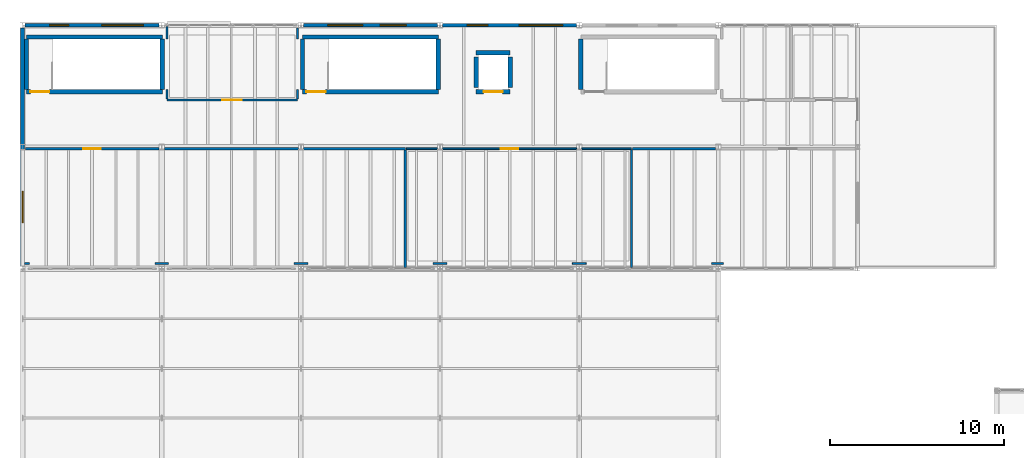
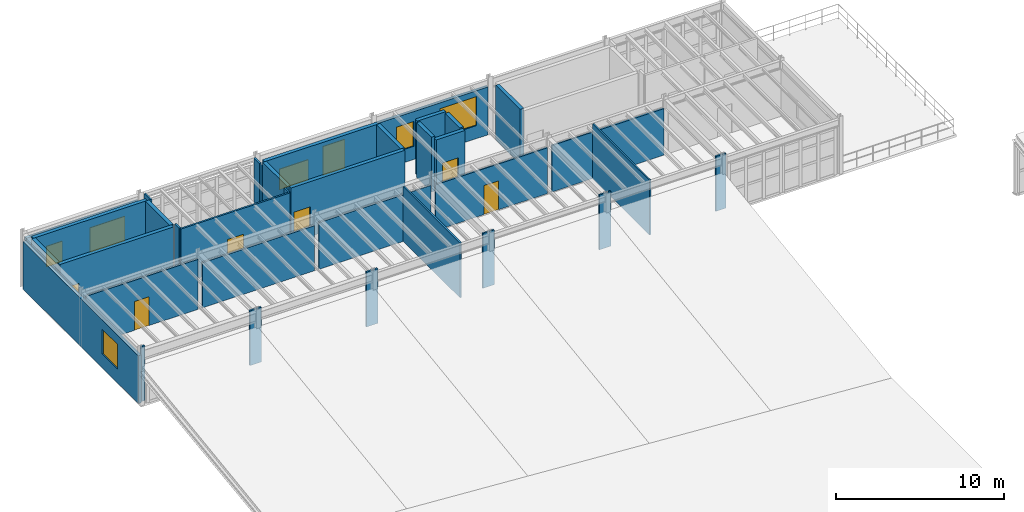
# One storey, part 70 of 77: 37 walls, 7 windows, 6 doors, 13 openings.
"""IFC4 building model written with IfcOpenShell, lengths in metres."""

from ifc_helpers import new_model, si_unit, direction, frame, frame_2d, origin, place, context, subcontext, project, spatial, rectangle, extrude, material, layer, layer_set, type_object, element, fill, save


model = new_model("IFC4")

# Units and contexts
model_context = context("Model", 3, precision=1e-05, world=origin(), true_north=direction((0.0, 1.0)))
body_context = subcontext(model_context, "Body", "Model", "MODEL_VIEW")
ifc_project = project(units=[si_unit("LENGTHUNIT", "METRE"), si_unit("AREAUNIT", "SQUARE_METRE"), si_unit("VOLUMEUNIT", "CUBIC_METRE"), si_unit("PLANEANGLEUNIT", "RADIAN"), si_unit("MASSUNIT", "GRAM", prefix="KILO"), si_unit("THERMODYNAMICTEMPERATUREUNIT", "KELVIN"), si_unit("POWERUNIT", "WATT")], contexts=[model_context])

# Site, building, storey
site_placement = place(None, origin())
site = spatial("IfcSite", under=ifc_project, at=site_placement, CompositionType="ELEMENT")
building_placement = place(site_placement, origin())
building = spatial("IfcBuilding", under=site, at=building_placement, Name="Zhenchuan Central Fire Station", CompositionType="ELEMENT")
storey_placement = place(building_placement, frame((0.0, 0.0, 10.050048828125)))
storey = spatial("IfcBuildingStorey", under=building, at=storey_placement, Name="L03", CompositionType="ELEMENT", Elevation=10.050048828125)

# Wall, opening, window
ifc_material_1 = material(Name="Precast concrete C40/50", Category="concrete")
ifc_layer_1 = layer(ifc_material_1, 0.219970703125, Name="Precast concrete C40/50", Category="concrete")
ifc_layer_set_1 = layer_set([ifc_layer_1], Name="Precast concrete C40/50")
wall_type_1 = type_object("IfcWallType", Name="EW-PRC220", PredefinedType="SOLIDWALL", material=ifc_layer_set_1)
wall_1_placement = place(storey_placement, frame((0.0, 42.64990234375, 0.0), z_axis=(0.0, 0.0, 1.0), x_axis=(0.0, 1.0, 0.0)))
wall_1 = element("IfcWall", 1, at=wall_1_placement, inside=storey, type_object=wall_type_1, Name="EW-L03-V3W", PredefinedType="SOLIDWALL", context=body_context, shape_type="SweptSolid", body=[
    extrude(rectangle(XDim=13.7001953125, YDim=0.219970703125, at=frame_2d((6.85009765625, 0.0))), origin(), (0.0, 0.0, 1.0), 3.473876953125),
])
opening_1_placement = place(wall_1_placement, frame((2.5, 0.0, 1.0)))
opening_1 = element("IfcOpeningElement", 2, at=opening_1_placement, cuts=wall_1, Name="Opening W-25", PredefinedType="OPENING", context=body_context, shape_type="SweptSolid", body=[
    extrude(rectangle(XDim=1.800048828125, YDim=1.800048828125, at=frame_2d((0.89990234375, 0.89990234375))), frame((0.0, 0.119873046875, 0.0), z_axis=(0.0, -1.0, 0.0), x_axis=(1.0, 0.0, 0.0)), (0.0, 0.0, 1.0), 0.239990234375),
])
ifc_material_2 = material(Name="Laminated low-E double glazing in aluminium frame", Category="aluminium")
window_type_1 = type_object("IfcWindowType", Name="WN-25", PartitioningType="SINGLE_PANEL", PredefinedType="WINDOW", material=ifc_material_2)
window_1_placement = place(opening_1_placement, origin())
window_1 = element("IfcWindow", 3, at=window_1_placement, inside=storey, type_object=window_type_1, Name="Exterior Window 0074", OverallHeight=1.800048828125, OverallWidth=1.800048828125, PartitioningType="SINGLE_PANEL", PredefinedType="WINDOW", context=body_context, shape_type="SweptSolid", body=[
    extrude(rectangle(XDim=1.800048828125, YDim=1.800048828125, at=frame_2d((0.89990234375, 0.89990234375))), frame((0.0, 0.030029296875, 0.0), z_axis=(0.0, -1.0, 0.0), x_axis=(1.0, 0.0, 0.0)), (0.0, 0.0, 1.0), 0.06005859375),
])
fill(opening_1, window_1)

# Wall, openings, windows
wall_2_placement = place(storey_placement, frame((0.14990234375, 56.5, 0.0), z_axis=(0.0, 0.0, 1.0), x_axis=(1.0, 0.0, 0.0)))
wall_2 = element("IfcWall", 4, at=wall_2_placement, inside=storey, type_object=wall_type_1, Name="EW-L03-V3N-0", PredefinedType="SOLIDWALL", context=body_context, shape_type="SweptSolid", body=[
    extrude(rectangle(XDim=7.7001953125, YDim=0.219970703125, at=frame_2d((3.85009765625, 0.0))), origin(), (0.0, 0.0, 1.0), 3.583984375),
])
opening_2_placement = place(wall_2_placement, frame((1.39990234375, 0.0, 0.949951171875)))
opening_2 = element("IfcOpeningElement", 5, at=opening_2_placement, cuts=wall_2, Name="Opening W-13", PredefinedType="OPENING", context=body_context, shape_type="SweptSolid", body=[
    extrude(rectangle(XDim=1.10009765625, YDim=1.5, at=frame_2d((0.550048828125, 0.75))), frame((0.0, 0.119873046875, 0.0), z_axis=(0.0, -1.0, 0.0), x_axis=(1.0, 0.0, 0.0)), (0.0, 0.0, 1.0), 0.239990234375),
])
opening_3_placement = place(wall_2_placement, frame((4.39990234375, 0.0, 0.949951171875)))
opening_3 = element("IfcOpeningElement", 6, at=opening_3_placement, cuts=wall_2, Name="Opening W-28", PredefinedType="OPENING", context=body_context, shape_type="SweptSolid", body=[
    extrude(rectangle(XDim=2.39990234375, YDim=1.800048828125, at=frame_2d((1.199951171875, 0.89990234375))), frame((0.0, 0.119873046875, 0.0), z_axis=(0.0, -1.0, 0.0), x_axis=(1.0, 0.0, 0.0)), (0.0, 0.0, 1.0), 0.239990234375),
])
window_type_2 = type_object("IfcWindowType", Name="WN-13", PartitioningType="SINGLE_PANEL", PredefinedType="WINDOW", material=ifc_material_2)
window_2_placement = place(opening_2_placement, origin())
window_2 = element("IfcWindow", 7, at=window_2_placement, inside=storey, type_object=window_type_2, Name="Exterior Window 0076", OverallHeight=1.5, OverallWidth=1.10009765625, PartitioningType="SINGLE_PANEL", PredefinedType="WINDOW", context=body_context, shape_type="SweptSolid", body=[
    extrude(rectangle(XDim=1.10009765625, YDim=1.5, at=frame_2d((0.550048828125, 0.75))), frame((0.0, 0.030029296875, 0.0), z_axis=(0.0, -1.0, 0.0), x_axis=(1.0, 0.0, 0.0)), (0.0, 0.0, 1.0), 0.06005859375),
])
fill(opening_2, window_2)
window_type_3 = type_object("IfcWindowType", Name="WN-28", PartitioningType="SINGLE_PANEL", PredefinedType="WINDOW", material=ifc_material_2)
window_3_placement = place(opening_3_placement, origin())
window_3 = element("IfcWindow", 8, at=window_3_placement, inside=storey, type_object=window_type_3, Name="Exterior Window 0077", OverallHeight=1.800048828125, OverallWidth=2.39990234375, PartitioningType="SINGLE_PANEL", PredefinedType="WINDOW", context=body_context, shape_type="SweptSolid", body=[
    extrude(rectangle(XDim=2.39990234375, YDim=1.800048828125, at=frame_2d((1.199951171875, 0.89990234375))), frame((0.0, 0.030029296875, 0.0), z_axis=(0.0, -1.0, 0.0), x_axis=(1.0, 0.0, 0.0)), (0.0, 0.0, 1.0), 0.06005859375),
])
fill(opening_3, window_3)

wall_3_placement = place(storey_placement, frame((16.14990234375, 56.5, 0.0), z_axis=(0.0, 0.0, 1.0), x_axis=(1.0, 0.0, 0.0)))
wall_3 = element("IfcWall", 9, at=wall_3_placement, inside=storey, type_object=wall_type_1, Name="EW-L03-V3N-2", PredefinedType="SOLIDWALL", context=body_context, shape_type="SweptSolid", body=[
    extrude(rectangle(XDim=7.7001953125, YDim=0.219970703125, at=frame_2d((3.85009765625, 0.0))), origin(), (0.0, 0.0, 1.0), 3.27392578125),
])
opening_4_placement = place(wall_3_placement, frame((1.39990234375, 0.0, 0.949951171875)))
opening_4 = element("IfcOpeningElement", 10, at=opening_4_placement, cuts=wall_3, Name="Opening W-19", PredefinedType="OPENING", context=body_context, shape_type="SweptSolid", body=[
    extrude(rectangle(XDim=2.0, YDim=1.5, at=frame_2d((1.0, 0.75))), frame((0.0, 0.119873046875, 0.0), z_axis=(0.0, -1.0, 0.0), x_axis=(1.0, 0.0, 0.0)), (0.0, 0.0, 1.0), 0.239990234375),
])
opening_5_placement = place(wall_3_placement, frame((4.39990234375, 0.0, 0.949951171875)))
opening_5 = element("IfcOpeningElement", 11, at=opening_5_placement, cuts=wall_3, Name="Opening W-34", PredefinedType="OPENING", context=body_context, shape_type="SweptSolid", body=[
    extrude(rectangle(XDim=1.5, YDim=2.10009765625, at=frame_2d((0.75, 1.050048828125))), frame((0.0, 0.119873046875, 0.0), z_axis=(0.0, -1.0, 0.0), x_axis=(1.0, 0.0, 0.0)), (0.0, 0.0, 1.0), 0.239990234375),
])
window_type_4 = type_object("IfcWindowType", Name="WN-19", PartitioningType="SINGLE_PANEL", PredefinedType="WINDOW", material=ifc_material_2)
window_4_placement = place(opening_4_placement, origin())
window_4 = element("IfcWindow", 12, at=window_4_placement, inside=storey, type_object=window_type_4, Name="Exterior Window 0078", OverallHeight=1.5, OverallWidth=2.0, PartitioningType="SINGLE_PANEL", PredefinedType="WINDOW", context=body_context, shape_type="SweptSolid", body=[
    extrude(rectangle(XDim=2.0, YDim=1.5, at=frame_2d((1.0, 0.75))), frame((0.0, 0.030029296875, 0.0), z_axis=(0.0, -1.0, 0.0), x_axis=(1.0, 0.0, 0.0)), (0.0, 0.0, 1.0), 0.06005859375),
])
fill(opening_4, window_4)
window_type_5 = type_object("IfcWindowType", Name="WN-34", PartitioningType="SINGLE_PANEL", PredefinedType="WINDOW", material=ifc_material_2)
window_5_placement = place(opening_5_placement, origin())
window_5 = element("IfcWindow", 13, at=window_5_placement, inside=storey, type_object=window_type_5, Name="Exterior Window 0079", OverallHeight=2.10009765625, OverallWidth=1.5, PartitioningType="SINGLE_PANEL", PredefinedType="WINDOW", context=body_context, shape_type="SweptSolid", body=[
    extrude(rectangle(XDim=1.5, YDim=2.10009765625, at=frame_2d((0.75, 1.050048828125))), frame((0.0, 0.030029296875, 0.0), z_axis=(0.0, -1.0, 0.0), x_axis=(1.0, 0.0, 0.0)), (0.0, 0.0, 1.0), 0.06005859375),
])
fill(opening_5, window_5)

wall_4_placement = place(storey_placement, frame((24.14990234375, 56.5, 0.0), z_axis=(0.0, 0.0, 1.0), x_axis=(1.0, 0.0, 0.0)))
wall_4 = element("IfcWall", 14, at=wall_4_placement, inside=storey, type_object=wall_type_1, Name="EW-L03-V3N-3", PredefinedType="SOLIDWALL", context=body_context, shape_type="SweptSolid", body=[
    extrude(rectangle(XDim=7.7001953125, YDim=0.219970703125, at=frame_2d((3.85009765625, 0.0))), origin(), (0.0, 0.0, 1.0), 3.473876953125),
])
opening_6_placement = place(wall_4_placement, frame((1.39990234375, 0.0, 0.949951171875)))
opening_6 = element("IfcOpeningElement", 15, at=opening_6_placement, cuts=wall_4, Name="Opening W-22", PredefinedType="OPENING", context=body_context, shape_type="SweptSolid", body=[
    extrude(rectangle(XDim=1.199951171875, YDim=1.800048828125, at=frame_2d((0.60009765625, 0.89990234375))), frame((0.0, 0.119873046875, 0.0), z_axis=(0.0, -1.0, 0.0), x_axis=(1.0, 0.0, 0.0)), (0.0, 0.0, 1.0), 0.239990234375),
])
opening_7_placement = place(wall_4_placement, frame((4.39990234375, 0.0, 0.949951171875)))
opening_7 = element("IfcOpeningElement", 16, at=opening_7_placement, cuts=wall_4, Name="Opening W-37", PredefinedType="OPENING", context=body_context, shape_type="SweptSolid", body=[
    extrude(rectangle(XDim=2.5, YDim=2.10009765625, at=frame_2d((1.25, 1.050048828125))), frame((0.0, 0.119873046875, 0.0), z_axis=(0.0, -1.0, 0.0), x_axis=(1.0, 0.0, 0.0)), (0.0, 0.0, 1.0), 0.239990234375),
])
window_type_6 = type_object("IfcWindowType", Name="WN-22", PartitioningType="SINGLE_PANEL", PredefinedType="WINDOW", material=ifc_material_2)
window_6_placement = place(opening_6_placement, origin())
window_6 = element("IfcWindow", 17, at=window_6_placement, inside=storey, type_object=window_type_6, Name="Exterior Window 0080", OverallHeight=1.800048828125, OverallWidth=1.199951171875, PartitioningType="SINGLE_PANEL", PredefinedType="WINDOW", context=body_context, shape_type="SweptSolid", body=[
    extrude(rectangle(XDim=1.199951171875, YDim=1.800048828125, at=frame_2d((0.60009765625, 0.89990234375))), frame((0.0, 0.030029296875, 0.0), z_axis=(0.0, -1.0, 0.0), x_axis=(1.0, 0.0, 0.0)), (0.0, 0.0, 1.0), 0.06005859375),
])
fill(opening_6, window_6)
window_type_7 = type_object("IfcWindowType", Name="WN-37", PartitioningType="SINGLE_PANEL", PredefinedType="WINDOW", material=ifc_material_2)
window_7_placement = place(opening_7_placement, origin())
window_7 = element("IfcWindow", 18, at=window_7_placement, inside=storey, type_object=window_type_7, Name="Exterior Window 0081", OverallHeight=2.10009765625, OverallWidth=2.5, PartitioningType="SINGLE_PANEL", PredefinedType="WINDOW", context=body_context, shape_type="SweptSolid", body=[
    extrude(rectangle(XDim=2.5, YDim=2.10009765625, at=frame_2d((1.25, 1.050048828125))), frame((0.0, 0.030029296875, 0.0), z_axis=(0.0, -1.0, 0.0), x_axis=(1.0, 0.0, 0.0)), (0.0, 0.0, 1.0), 0.06005859375),
])
fill(opening_7, window_7)

# Walls
ifc_material_3 = material(Name="Gypsum plasterboard on steel studs", Category="gypsum")
ifc_layer_2 = layer(ifc_material_3, 0.10009765625, Name="Gypsum plasterboard on steel studs", Category="gypsum")
ifc_layer_set_2 = layer_set([ifc_layer_2], Name="Gypsum plasterboard on steel studs")
wall_type_2 = type_object("IfcWallType", Name="IW-GYP100", PredefinedType="PARTITIONING", material=ifc_layer_set_2)
for number, where, z_axis, x_axis, name in (
    (19, (23.60302734375, 42.800048828125, 0.0), (0.0, 0.0, 1.0), (1.0, 0.0, 0.0), "Physical Conditioning Studio S Partition 1"),
    (20, (31.60302734375, 42.800048828125, 0.0), (0.0, 0.0, 1.0), (1.0, 0.0, 0.0), "Physical Conditioning Studio S Partition 2"),
):
    element("IfcWall", number, at=place(storey_placement, frame(where, z_axis=z_axis, x_axis=x_axis)), inside=storey, type_object=wall_type_2, Name=name, PredefinedType="PARTITIONING", context=body_context, shape_type="SweptSolid", body=[
        extrude(rectangle(XDim=0.7939453125, YDim=0.10009765625, at=frame_2d((0.39697265625, 0.0))), origin(), (0.0, 0.0, 1.0), 3.97998046875),
    ])
wall_5_placement = place(storey_placement, frame((22.06298828125, 49.39990234375, 0.0), z_axis=(0.0, 0.0, 1.0), x_axis=(1.0, 0.0, 0.0)))
element("IfcWall", 21, at=wall_5_placement, inside=storey, type_object=wall_type_2, Name="Physical Conditioning Studio N Partition 1", PredefinedType="PARTITIONING", context=body_context, shape_type="SweptSolid", body=[
    extrude(rectangle(XDim=1.783935546875, YDim=0.10009765625, at=frame_2d((0.89208984375, 0.0))), origin(), (0.0, 0.0, 1.0), 3.385986328125),
])

# Wall, opening, door
wall_6_placement = place(storey_placement, frame((24.153076171875, 49.39990234375, 0.0), z_axis=(0.0, 0.0, 1.0), x_axis=(1.0, 0.0, 0.0)))
wall_6 = element("IfcWall", 22, at=wall_6_placement, inside=storey, type_object=wall_type_2, Name="Physical Conditioning Studio N Partition 2", PredefinedType="PARTITIONING", context=body_context, shape_type="SweptSolid", body=[
    extrude(rectangle(XDim=7.69384765625, YDim=0.10009765625, at=frame_2d((3.846923828125, 0.0))), origin(), (0.0, 0.0, 1.0), 3.323974609375),
])
opening_8_placement = place(wall_6_placement, frame((3.346923828125, 0.0, 0.0)))
opening_8 = element("IfcOpeningElement", 23, at=opening_8_placement, cuts=wall_6, Name="Opening D-154", PredefinedType="OPENING", context=body_context, shape_type="SweptSolid", body=[
    extrude(rectangle(XDim=1.0, YDim=2.10009765625, at=frame_2d((0.5, 1.050048828125))), frame((0.0, 0.06005859375, 0.0), z_axis=(0.0, -1.0, 0.0), x_axis=(1.0, 0.0, 0.0)), (0.0, 0.0, 1.0), 0.1201171875),
])
ifc_material_4 = material(Name="Solid-core timber office door", Category="wood")
door_type_1 = type_object("IfcDoorType", Name="ID-OFF-100x210", OperationType="NOTDEFINED", PredefinedType="DOOR", material=ifc_material_4)
door_1_placement = place(opening_8_placement, origin())
door_1 = element("IfcDoor", 24, at=door_1_placement, inside=storey, type_object=door_type_1, Name="Physical Conditioning Studio Door", OperationType="SINGLE_SWING_RIGHT", OverallHeight=2.10009765625, OverallWidth=1.0, PredefinedType="DOOR", context=body_context, shape_type="SweptSolid", body=[
    extrude(rectangle(XDim=1.0, YDim=2.10009765625, at=frame_2d((0.5, 1.050048828125))), frame((0.0, 0.02490234375, 0.0), z_axis=(0.0, -1.0, 0.0), x_axis=(1.0, 0.0, 0.0)), (0.0, 0.0, 1.0), 0.050048828125),
])
fill(opening_8, door_1)

# Walls
wall_7_placement = place(storey_placement, frame((32.153076171875, 49.39990234375, 0.0), z_axis=(0.0, 0.0, 1.0), x_axis=(1.0, 0.0, 0.0)))
element("IfcWall", 25, at=wall_7_placement, inside=storey, type_object=wall_type_2, Name="Physical Conditioning Studio N Partition 3", PredefinedType="PARTITIONING", context=body_context, shape_type="SweptSolid", body=[
    extrude(rectangle(XDim=2.846923828125, YDim=0.10009765625, at=frame_2d((1.42333984375, 0.0))), origin(), (0.0, 0.0, 1.0), 3.3740234375),
])
wall_8_placement = place(storey_placement, frame((35.0, 42.5830078125, 0.0), z_axis=(0.0, 0.0, 1.0), x_axis=(0.0, 1.0, 0.0)))
element("IfcWall", 26, at=wall_8_placement, inside=storey, type_object=wall_type_2, Name="Physical Conditioning Studio E Partition", PredefinedType="PARTITIONING", context=body_context, shape_type="SweptSolid", body=[
    extrude(rectangle(XDim=6.763916015625, YDim=0.10009765625, at=frame_2d((3.3818359375, 0.0))), origin(), (0.0, 0.0, 1.0), 3.97998046875),
])
ifc_layer_3 = layer(ifc_material_3, 0.1201171875, Name="Gypsum plasterboard on steel studs", Category="gypsum")
ifc_layer_set_3 = layer_set([ifc_layer_3], Name="Gypsum plasterboard on steel studs")
wall_type_3 = type_object("IfcWallType", Name="IW-GYP120", PredefinedType="PARTITIONING", material=ifc_layer_set_3)
wall_9_placement = place(storey_placement, frame((0.113037109375, 42.800048828125, 0.0), z_axis=(0.0, 0.0, 1.0), x_axis=(1.0, 0.0, 0.0)))
element("IfcWall", 27, at=wall_9_placement, inside=storey, type_object=wall_type_3, Name="Firefighter Fitness Gym S Partition 1", PredefinedType="PARTITIONING", context=body_context, shape_type="SweptSolid", body=[
    extrude(rectangle(XDim=0.283935546875, YDim=0.1201171875, at=frame_2d((0.14208984375, 0.0))), origin(), (0.0, 0.0, 1.0), 3.97998046875),
])
for number, where, z_axis, x_axis, name in (
    (28, (7.60302734375, 42.800048828125, 0.0), (0.0, 0.0, 1.0), (1.0, 0.0, 0.0), "Firefighter Fitness Gym S Partition 2"),
    (29, (15.60302734375, 42.800048828125, 0.0), (0.0, 0.0, 1.0), (1.0, 0.0, 0.0), "Firefighter Fitness Gym S Partition 3"),
):
    element("IfcWall", number, at=place(storey_placement, frame(where, z_axis=z_axis, x_axis=x_axis)), inside=storey, type_object=wall_type_3, Name=name, PredefinedType="PARTITIONING", context=body_context, shape_type="SweptSolid", body=[
        extrude(rectangle(XDim=0.7939453125, YDim=0.1201171875, at=frame_2d((0.39697265625, 0.0))), origin(), (0.0, 0.0, 1.0), 3.97998046875),
    ])

# Wall, opening, door
wall_10_placement = place(storey_placement, frame((0.153076171875, 49.39990234375, 0.0), z_axis=(0.0, 0.0, 1.0), x_axis=(1.0, 0.0, 0.0)))
wall_10 = element("IfcWall", 30, at=wall_10_placement, inside=storey, type_object=wall_type_3, Name="Firefighter Fitness Gym N Partition 1", PredefinedType="PARTITIONING", context=body_context, shape_type="SweptSolid", body=[
    extrude(rectangle(XDim=7.69384765625, YDim=0.1201171875, at=frame_2d((3.846923828125, 0.0))), origin(), (0.0, 0.0, 1.0), 3.634033203125),
])
opening_9_placement = place(wall_10_placement, frame((3.346923828125, 0.0, 0.0)))
opening_9 = element("IfcOpeningElement", 31, at=opening_9_placement, cuts=wall_10, Name="Opening D-153", PredefinedType="OPENING", context=body_context, shape_type="SweptSolid", body=[
    extrude(rectangle(XDim=1.0, YDim=2.10009765625, at=frame_2d((0.5, 1.050048828125))), frame((0.0, 0.070068359375, 0.0), z_axis=(0.0, -1.0, 0.0), x_axis=(1.0, 0.0, 0.0)), (0.0, 0.0, 1.0), 0.14013671875),
])
door_2_placement = place(opening_9_placement, origin())
door_2 = element("IfcDoor", 32, at=door_2_placement, inside=storey, type_object=door_type_1, Name="Firefighter Fitness Gym Door", OperationType="SINGLE_SWING_LEFT", OverallHeight=2.10009765625, OverallWidth=1.0, PredefinedType="DOOR", context=body_context, shape_type="SweptSolid", body=[
    extrude(rectangle(XDim=1.0, YDim=2.10009765625, at=frame_2d((0.5, 1.050048828125))), frame((0.0, 0.02490234375, 0.0), z_axis=(0.0, -1.0, 0.0), x_axis=(1.0, 0.0, 0.0)), (0.0, 0.0, 1.0), 0.050048828125),
])
fill(opening_9, door_2)

# Walls
wall_11_placement = place(storey_placement, frame((8.153076171875, 49.39990234375, 0.0), z_axis=(0.0, 0.0, 1.0), x_axis=(1.0, 0.0, 0.0)))
element("IfcWall", 33, at=wall_11_placement, inside=storey, type_object=wall_type_3, Name="Firefighter Fitness Gym N Partition 2", PredefinedType="PARTITIONING", context=body_context, shape_type="SweptSolid", body=[
    extrude(rectangle(XDim=7.69384765625, YDim=0.1201171875, at=frame_2d((3.846923828125, 0.0))), origin(), (0.0, 0.0, 1.0), 3.27392578125),
])
wall_12_placement = place(storey_placement, frame((16.153076171875, 49.39990234375, 0.0), z_axis=(0.0, 0.0, 1.0), x_axis=(1.0, 0.0, 0.0)))
element("IfcWall", 34, at=wall_12_placement, inside=storey, type_object=wall_type_3, Name="Firefighter Fitness Gym N Partition 3", PredefinedType="PARTITIONING", context=body_context, shape_type="SweptSolid", body=[
    extrude(rectangle(XDim=5.846923828125, YDim=0.1201171875, at=frame_2d((2.92333984375, 0.0))), origin(), (0.0, 0.0, 1.0), 3.385986328125),
])
wall_13_placement = place(storey_placement, frame((22.0, 42.5830078125, 0.0), z_axis=(0.0, 0.0, 1.0), x_axis=(0.0, 1.0, 0.0)))
element("IfcWall", 35, at=wall_13_placement, inside=storey, type_object=wall_type_3, Name="Firefighter Fitness Gym E Partition", PredefinedType="PARTITIONING", context=body_context, shape_type="SweptSolid", body=[
    extrude(rectangle(XDim=6.75390625, YDim=0.1201171875, at=frame_2d((3.376953125, 0.0))), origin(), (0.0, 0.0, 1.0), 3.97998046875),
])
wall_14_placement = place(storey_placement, frame((39.60302734375, 42.800048828125, 0.0), z_axis=(0.0, 0.0, 1.0), x_axis=(1.0, 0.0, 0.0)))
element("IfcWall", 36, at=wall_14_placement, inside=storey, type_object=wall_type_3, Name="Crew Dayroom and Recreation Lounge S Partition", PredefinedType="PARTITIONING", context=body_context, shape_type="SweptSolid", body=[
    extrude(rectangle(XDim=0.694091796875, YDim=0.1201171875, at=frame_2d((0.34716796875, 0.0))), origin(), (0.0, 0.0, 1.0), 3.97998046875),
])
wall_15_placement = place(storey_placement, frame((35.052978515625, 49.39990234375, 0.0), z_axis=(0.0, 0.0, 1.0), x_axis=(1.0, 0.0, 0.0)))
element("IfcWall", 37, at=wall_15_placement, inside=storey, type_object=wall_type_3, Name="Crew Dayroom and Recreation Lounge N Partition 1", PredefinedType="PARTITIONING", context=body_context, shape_type="SweptSolid", body=[
    extrude(rectangle(XDim=4.7939453125, YDim=0.1201171875, at=frame_2d((2.39697265625, 0.0))), origin(), (0.0, 0.0, 1.0), 3.3740234375),
])

# Wall, opening, door
wall_16_placement = place(storey_placement, frame((8.300048828125, 52.199951171875, 0.0), z_axis=(0.0, 0.0, 1.0), x_axis=(1.0, 0.0, 0.0)))
wall_16 = element("IfcWall", 38, at=wall_16_placement, inside=storey, type_object=wall_type_3, Name="Occupational Physiotherapy Room S Partition", PredefinedType="PARTITIONING", context=body_context, shape_type="SweptSolid", body=[
    extrude(rectangle(XDim=7.5, YDim=0.1201171875, at=frame_2d((3.75, 0.0))), origin(), (0.0, 0.0, 1.0), 3.97998046875),
])
opening_10_placement = place(wall_16_placement, frame((3.18994140625, 0.0, 0.0)))
opening_10 = element("IfcOpeningElement", 39, at=opening_10_placement, cuts=wall_16, Name="Opening D-156", PredefinedType="OPENING", context=body_context, shape_type="SweptSolid", body=[
    extrude(rectangle(XDim=1.1201171875, YDim=2.10009765625, at=frame_2d((0.56005859375, 1.050048828125))), frame((0.0, 0.070068359375, 0.0), z_axis=(0.0, -1.0, 0.0), x_axis=(1.0, 0.0, 0.0)), (0.0, 0.0, 1.0), 0.14013671875),
])
ifc_material_5 = material(Name="Hygienic laminate medical/decon door")
door_type_2 = type_object("IfcDoorType", Name="ID-MED-112x210", OperationType="NOTDEFINED", PredefinedType="DOOR", material=ifc_material_5)
door_3_placement = place(opening_10_placement, origin())
door_3 = element("IfcDoor", 40, at=door_3_placement, inside=storey, type_object=door_type_2, Name="Occupational Physiotherapy Room Door", OperationType="SINGLE_SWING_RIGHT", OverallHeight=2.10009765625, OverallWidth=1.1201171875, PredefinedType="DOOR", context=body_context, shape_type="SweptSolid", body=[
    extrude(rectangle(XDim=1.1201171875, YDim=2.10009765625, at=frame_2d((0.56005859375, 1.050048828125))), frame((0.0, 0.02490234375, 0.0), z_axis=(0.0, -1.0, 0.0), x_axis=(1.0, 0.0, 0.0)), (0.0, 0.0, 1.0), 0.050048828125),
])
fill(opening_10, door_3)

# Walls
wall_17_placement = place(storey_placement, frame((8.300048828125, 52.262939453125, 0.0), z_axis=(0.0, 0.0, 1.0), x_axis=(0.0, 1.0, 0.0)))
element("IfcWall", 41, at=wall_17_placement, inside=storey, type_object=wall_type_3, Name="Occupational Physiotherapy Room W Partition 1", PredefinedType="PARTITIONING", context=body_context, shape_type="SweptSolid", body=[
    extrude(rectangle(XDim=0.5341796875, YDim=0.1201171875, at=frame_2d((0.26708984375, 0.0))), origin(), (0.0, 0.0, 1.0), 3.97998046875),
])
wall_18_placement = place(storey_placement, frame((8.300048828125, 55.702880859375, 0.0), z_axis=(0.0, 0.0, 1.0), x_axis=(0.0, 1.0, 0.0)))
element("IfcWall", 42, at=wall_18_placement, inside=storey, type_object=wall_type_3, Name="Occupational Physiotherapy Room W Partition 2", PredefinedType="PARTITIONING", context=body_context, shape_type="SweptSolid", body=[
    extrude(rectangle(XDim=0.714111328125, YDim=0.1201171875, at=frame_2d((0.35693359375, 0.0))), origin(), (0.0, 0.0, 1.0), 3.97998046875),
])
wall_19_placement = place(storey_placement, frame((15.800048828125, 52.262939453125, 0.0), z_axis=(0.0, 0.0, 1.0), x_axis=(0.0, 1.0, 0.0)))
element("IfcWall", 43, at=wall_19_placement, inside=storey, type_object=wall_type_3, Name="Occupational Physiotherapy Room E Partition 1", PredefinedType="PARTITIONING", context=body_context, shape_type="SweptSolid", body=[
    extrude(rectangle(XDim=0.5341796875, YDim=0.1201171875, at=frame_2d((0.26708984375, 0.0))), origin(), (0.0, 0.0, 1.0), 3.97998046875),
])
wall_20_placement = place(storey_placement, frame((15.800048828125, 55.702880859375, 0.0), z_axis=(0.0, 0.0, 1.0), x_axis=(0.0, 1.0, 0.0)))
element("IfcWall", 44, at=wall_20_placement, inside=storey, type_object=wall_type_3, Name="Occupational Physiotherapy Room E Partition 2", PredefinedType="PARTITIONING", context=body_context, shape_type="SweptSolid", body=[
    extrude(rectangle(XDim=0.64404296875, YDim=0.1201171875, at=frame_2d((0.322021484375, 0.0))), origin(), (0.0, 0.0, 1.0), 3.97998046875),
])

# Wall, opening, door
ifc_material_6 = material(Name="Concrete C40/50", Category="concrete")
ifc_layer_4 = layer(ifc_material_6, 0.25, Name="Concrete C40/50", Category="concrete")
ifc_layer_set_4 = layer_set([ifc_layer_4], Name="Concrete C40/50")
wall_type_4 = type_object("IfcWallType", Name="IW-SHR250", PredefinedType="SHEAR", material=ifc_layer_set_4)
wall_21_placement = place(storey_placement, frame((0.22509765625, 52.675048828125, 0.0), z_axis=(0.0, 0.0, 1.0), x_axis=(1.0, 0.0, 0.0)))
wall_21 = element("IfcWall", 45, at=wall_21_placement, inside=storey, type_object=wall_type_4, Name="ST-05 L03 South Core Wall", PredefinedType="SHEAR", context=body_context, shape_type="SweptSolid", body=[
    extrude(rectangle(XDim=7.809814453125, YDim=0.25, at=frame_2d((3.90478515625, 0.0))), origin(), (0.0, 0.0, 1.0), 3.97998046875),
])
opening_11_placement = place(wall_21_placement, frame((0.219970703125, 0.0, 0.0)))
opening_11 = element("IfcOpeningElement", 46, at=opening_11_placement, cuts=wall_21, Name="Opening D-011", PredefinedType="OPENING", context=body_context, shape_type="SweptSolid", body=[
    extrude(rectangle(XDim=1.10009765625, YDim=2.14990234375, at=frame_2d((0.550048828125, 1.074951171875))), frame((0.0, 0.135009765625, 0.0), z_axis=(0.0, -1.0, 0.0), x_axis=(1.0, 0.0, 0.0)), (0.0, 0.0, 1.0), 0.27001953125),
])
ifc_material_7 = material(Name="Painted steel acoustic fire door", Category="steel")
door_type_3 = type_object("IfcDoorType", Name="ID-ST-110x215", OperationType="NOTDEFINED", PredefinedType="DOOR", material=ifc_material_7)
door_4_placement = place(opening_11_placement, frame((1.10009765625, 0.0, 0.0), z_axis=(0.0, 0.0, 1.0), x_axis=(-1.0, 0.0, 0.0)))
door_4 = element("IfcDoor", 47, at=door_4_placement, inside=storey, type_object=door_type_3, Name="ST-05 L03 Fire Door", OperationType="SINGLE_SWING_LEFT", OverallHeight=2.14990234375, OverallWidth=1.10009765625, PredefinedType="DOOR", context=body_context, shape_type="SweptSolid", body=[
    extrude(rectangle(XDim=1.10009765625, YDim=2.14990234375, at=frame_2d((0.550048828125, 1.074951171875))), frame((0.0, 0.02490234375, 0.0), z_axis=(0.0, -1.0, 0.0), x_axis=(1.0, 0.0, 0.0)), (0.0, 0.0, 1.0), 0.050048828125),
])
fill(opening_11, door_4)

# Walls
wall_22_placement = place(storey_placement, frame((0.22509765625, 55.824951171875, 0.0), z_axis=(0.0, 0.0, 1.0), x_axis=(1.0, 0.0, 0.0)))
element("IfcWall", 48, at=wall_22_placement, inside=storey, type_object=wall_type_4, Name="ST-05 L03 North Core Wall", PredefinedType="SHEAR", context=body_context, shape_type="SweptSolid", body=[
    extrude(rectangle(XDim=7.809814453125, YDim=0.25, at=frame_2d((3.90478515625, 0.0))), origin(), (0.0, 0.0, 1.0), 3.97998046875),
])
for number, where, z_axis, x_axis, name in (
    (49, (0.22509765625, 52.800048828125, 0.0), (0.0, 0.0, 1.0), (0.0, 1.0, 0.0), "ST-05 L03 West Core Wall"),
    (50, (8.034912109375, 52.800048828125, 0.0), (0.0, 0.0, 1.0), (0.0, 1.0, 0.0), "ST-05 L03 East Core Wall"),
):
    element("IfcWall", number, at=place(storey_placement, frame(where, z_axis=z_axis, x_axis=x_axis)), inside=storey, type_object=wall_type_4, Name=name, PredefinedType="SHEAR", context=body_context, shape_type="SweptSolid", body=[
        extrude(rectangle(XDim=2.89990234375, YDim=0.25, at=frame_2d((1.449951171875, 0.0))), origin(), (0.0, 0.0, 1.0), 3.97998046875),
    ])

# Wall, opening, door
wall_23_placement = place(storey_placement, frame((16.094970703125, 52.675048828125, 0.0), z_axis=(0.0, 0.0, 1.0), x_axis=(1.0, 0.0, 0.0)))
wall_23 = element("IfcWall", 51, at=wall_23_placement, inside=storey, type_object=wall_type_4, Name="ST-06 L03 South Core Wall", PredefinedType="SHEAR", context=body_context, shape_type="SweptSolid", body=[
    extrude(rectangle(XDim=7.81005859375, YDim=0.25, at=frame_2d((3.905029296875, 0.0))), origin(), (0.0, 0.0, 1.0), 3.97998046875),
])
opening_12_placement = place(wall_23_placement, frame((0.219970703125, 0.0, 0.0)))
opening_12 = element("IfcOpeningElement", 52, at=opening_12_placement, cuts=wall_23, Name="Opening D-014", PredefinedType="OPENING", context=body_context, shape_type="SweptSolid", body=[
    extrude(rectangle(XDim=1.10009765625, YDim=2.14990234375, at=frame_2d((0.550048828125, 1.074951171875))), frame((0.0, 0.135009765625, 0.0), z_axis=(0.0, -1.0, 0.0), x_axis=(1.0, 0.0, 0.0)), (0.0, 0.0, 1.0), 0.27001953125),
])
door_5_placement = place(opening_12_placement, frame((1.10009765625, 0.0, 0.0), z_axis=(0.0, 0.0, 1.0), x_axis=(-1.0, 0.0, 0.0)))
door_5 = element("IfcDoor", 53, at=door_5_placement, inside=storey, type_object=door_type_3, Name="ST-06 L03 Fire Door", OperationType="SINGLE_SWING_RIGHT", OverallHeight=2.14990234375, OverallWidth=1.10009765625, PredefinedType="DOOR", context=body_context, shape_type="SweptSolid", body=[
    extrude(rectangle(XDim=1.10009765625, YDim=2.14990234375, at=frame_2d((0.550048828125, 1.074951171875))), frame((0.0, 0.02490234375, 0.0), z_axis=(0.0, -1.0, 0.0), x_axis=(1.0, 0.0, 0.0)), (0.0, 0.0, 1.0), 0.050048828125),
])
fill(opening_12, door_5)

# Walls
wall_24_placement = place(storey_placement, frame((16.094970703125, 55.824951171875, 0.0), z_axis=(0.0, 0.0, 1.0), x_axis=(1.0, 0.0, 0.0)))
element("IfcWall", 54, at=wall_24_placement, inside=storey, type_object=wall_type_4, Name="ST-06 L03 North Core Wall", PredefinedType="SHEAR", context=body_context, shape_type="SweptSolid", body=[
    extrude(rectangle(XDim=7.81005859375, YDim=0.25, at=frame_2d((3.905029296875, 0.0))), origin(), (0.0, 0.0, 1.0), 3.97998046875),
])
for number, where, z_axis, x_axis, name in (
    (55, (16.094970703125, 52.800048828125, 0.0), (0.0, 0.0, 1.0), (0.0, 1.0, 0.0), "ST-06 L03 West Core Wall"),
    (56, (23.905029296875, 52.800048828125, 0.0), (0.0, 0.0, 1.0), (0.0, 1.0, 0.0), "ST-06 L03 East Core Wall"),
    (57, (32.094970703125, 52.800048828125, 0.0), (0.0, 0.0, 1.0), (0.0, 1.0, 0.0), "ST-07 L03 West Core Wall"),
):
    element("IfcWall", number, at=place(storey_placement, frame(where, z_axis=z_axis, x_axis=x_axis)), inside=storey, type_object=wall_type_4, Name=name, PredefinedType="SHEAR", context=body_context, shape_type="SweptSolid", body=[
        extrude(rectangle(XDim=2.89990234375, YDim=0.25, at=frame_2d((1.449951171875, 0.0))), origin(), (0.0, 0.0, 1.0), 3.97998046875),
    ])

# Wall, opening, door
wall_25_placement = place(storey_placement, frame((26.074951171875, 52.675048828125, 0.0), z_axis=(0.0, 0.0, 1.0), x_axis=(1.0, 0.0, 0.0)))
wall_25 = element("IfcWall", 58, at=wall_25_placement, inside=storey, type_object=wall_type_4, Name="Lift LP-03 L03 South Shaft Wall", PredefinedType="SHEAR", context=body_context, shape_type="SweptSolid", body=[
    extrude(rectangle(XDim=1.949951171875, YDim=0.25, at=frame_2d((0.97509765625, 0.0))), origin(), (0.0, 0.0, 1.0), 3.97998046875),
])
opening_13_placement = place(wall_25_placement, frame((0.425048828125, 0.0, 0.0)))
opening_13 = element("IfcOpeningElement", 59, at=opening_13_placement, cuts=wall_25, Name="Opening LD-017", PredefinedType="OPENING", context=body_context, shape_type="SweptSolid", body=[
    extrude(rectangle(XDim=1.10009765625, YDim=2.14990234375, at=frame_2d((0.550048828125, 1.074951171875))), frame((0.0, 0.135009765625, 0.0), z_axis=(0.0, -1.0, 0.0), x_axis=(1.0, 0.0, 0.0)), (0.0, 0.0, 1.0), 0.27001953125),
])
ifc_material_8 = material(Name="Brushed stainless steel sliding landing door", Category="steel")
door_type_4 = type_object("IfcDoorType", Name="ID-LD-110x215", OperationType="NOTDEFINED", PredefinedType="DOOR", material=ifc_material_8)
door_6_placement = place(opening_13_placement, origin())
door_6 = element("IfcDoor", 60, at=door_6_placement, inside=storey, type_object=door_type_4, Name="Lift LP-03 L03 Sliding Landing Door", OperationType="DOUBLE_DOOR_SLIDING", OverallHeight=2.14990234375, OverallWidth=1.10009765625, PredefinedType="DOOR", context=body_context, shape_type="SweptSolid", body=[
    extrude(rectangle(XDim=1.10009765625, YDim=2.14990234375, at=frame_2d((0.550048828125, 1.074951171875))), frame((0.0, 0.02490234375, 0.0), z_axis=(0.0, -1.0, 0.0), x_axis=(1.0, 0.0, 0.0)), (0.0, 0.0, 1.0), 0.050048828125),
])
fill(opening_13, door_6)

# Walls
wall_26_placement = place(storey_placement, frame((26.074951171875, 54.925048828125, 0.0), z_axis=(0.0, 0.0, 1.0), x_axis=(1.0, 0.0, 0.0)))
element("IfcWall", 61, at=wall_26_placement, inside=storey, type_object=wall_type_4, Name="Lift LP-03 L03 North Shaft Wall", PredefinedType="SHEAR", context=body_context, shape_type="SweptSolid", body=[
    extrude(rectangle(XDim=1.949951171875, YDim=0.25, at=frame_2d((0.97509765625, 0.0))), origin(), (0.0, 0.0, 1.0), 3.97998046875),
])
for number, where, z_axis, x_axis, name in (
    (62, (26.074951171875, 52.925048828125, 0.0), (0.0, 0.0, 1.0), (0.0, 1.0, 0.0), "Lift LP-03 L03 West Shaft Wall"),
    (63, (28.02490234375, 52.925048828125, 0.0), (0.0, 0.0, 1.0), (0.0, 1.0, 0.0), "Lift LP-03 L03 East Shaft Wall"),
):
    element("IfcWall", number, at=place(storey_placement, frame(where, z_axis=z_axis, x_axis=x_axis)), inside=storey, type_object=wall_type_4, Name=name, PredefinedType="SHEAR", context=body_context, shape_type="SweptSolid", body=[
        extrude(rectangle(XDim=1.75, YDim=0.25, at=frame_2d((0.875, 0.0))), origin(), (0.0, 0.0, 1.0), 3.97998046875),
    ])

save(model, "model.ifc")
